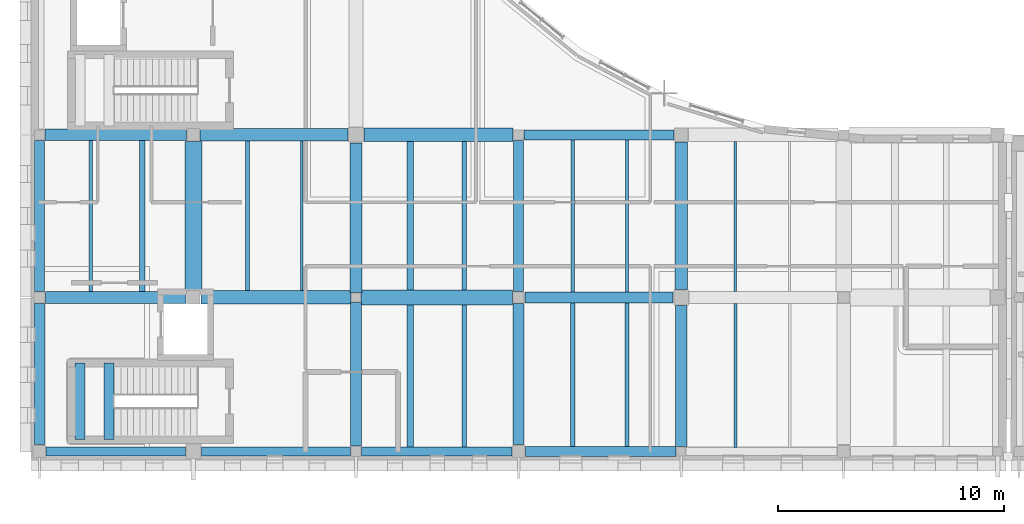
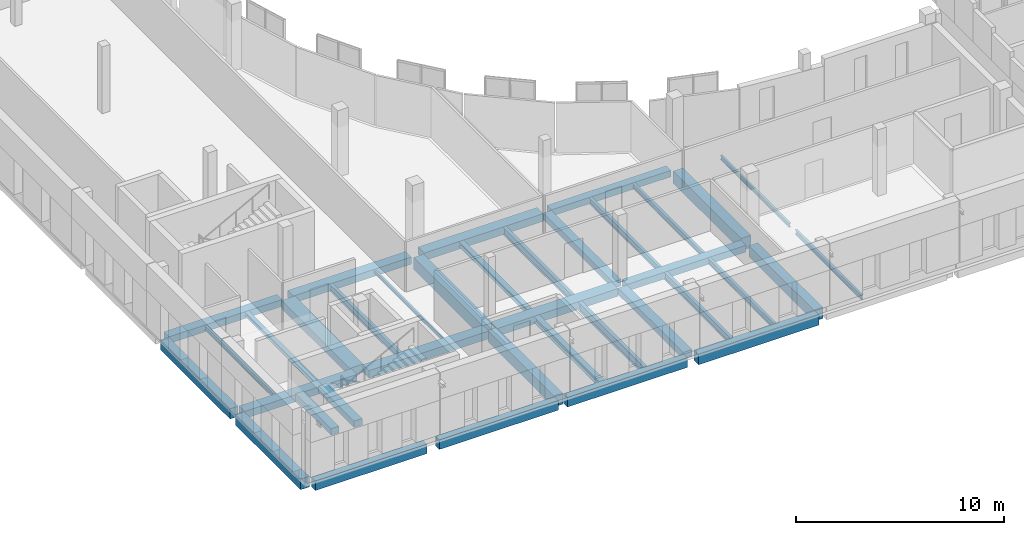
# One storey, part 7 of 76: 37 beams.
"""IFC4 building model written with IfcOpenShell, lengths in metres."""

from ifc_helpers import new_model, si_unit, direction, frame, origin, origin_2d, place, context, subcontext, project, spatial, rectangle, i_section, extrude, material, material_profile, profile_set, type_object, element, save


model = new_model("IFC4")

# Units and contexts
model_context = context("Model", 3, precision=1e-05, world=origin(), true_north=direction((0.0, 1.0)))
body_context = subcontext(model_context, "Body", "Model", "MODEL_VIEW")
ifc_project = project(units=[si_unit("LENGTHUNIT", "METRE"), si_unit("AREAUNIT", "SQUARE_METRE"), si_unit("VOLUMEUNIT", "CUBIC_METRE"), si_unit("PLANEANGLEUNIT", "RADIAN"), si_unit("MASSUNIT", "GRAM", prefix="KILO")], contexts=[model_context])

# Site, building, storey
site_placement = place(None, origin())
site = spatial("IfcSite", under=ifc_project, at=site_placement, CompositionType="ELEMENT")
building_placement = place(site_placement, origin())
building = spatial("IfcBuilding", under=site, at=building_placement, Name="Vardoun Plaza Health Centre", CompositionType="ELEMENT")
storey_placement = place(building_placement, frame((0.0, 0.0, 4.5)))
storey = spatial("IfcBuildingStorey", under=building, at=storey_placement, Name="L01", CompositionType="ELEMENT", Elevation=4.5)

# Beams
ifc_material_1 = material(Name="Concrete C35/45", Category="concrete")
ifc_material_profile_1 = material_profile(ifc_material_1, rectangle(XDim=0.39990234375, YDim=0.550048828125, at=origin_2d()), Name="RC-BM 400x550")
ifc_profile_set_1 = profile_set([ifc_material_profile_1], Name="Concrete C35/45")
beam_type_1 = type_object("IfcBeamType", Name="B-09", PredefinedType="SPANDREL", material=ifc_profile_set_1)
beam_1_placement = place(storey_placement, frame((5.179931640625, 4.8798828125, -0.554931640625), z_axis=(1.0, 0.0, 0.0), x_axis=(0.0, 1.0, 0.0)))
element("IfcBeam", 1, at=beam_1_placement, inside=storey, type_object=beam_type_1, Name="V2 L01 Beam B-V2-L01-X01", PredefinedType="SPANDREL", context=body_context, shape_type="SweptSolid", body=[
    extrude(rectangle(XDim=0.39990234375, YDim=0.550048828125, at=origin_2d()), origin(), (0.0, 0.0, 1.0), 6.170166015625),
])
beam_2_placement = place(storey_placement, frame((12.050048828125, 4.8798828125, -0.554931640625), z_axis=(1.0, 0.0, 0.0), x_axis=(0.0, 1.0, 0.0)))
element("IfcBeam", 2, at=beam_2_placement, inside=storey, type_object=beam_type_1, Name="V2 L01 Beam B-V2-L01-X11", PredefinedType="SPANDREL", context=body_context, shape_type="SweptSolid", body=[
    extrude(rectangle(XDim=0.39990234375, YDim=0.550048828125, at=origin_2d()), origin(), (0.0, 0.0, 1.0), 6.599853515625),
])
beam_3_placement = place(storey_placement, frame((19.14990234375, 4.8798828125, -0.554931640625), z_axis=(1.0, 0.0, 0.0), x_axis=(0.0, 1.0, 0.0)))
element("IfcBeam", 3, at=beam_3_placement, inside=storey, type_object=beam_type_1, Name="V2 L01 Beam B-V2-L01-X21", PredefinedType="SPANDREL", context=body_context, shape_type="SweptSolid", body=[
    extrude(rectangle(XDim=0.39990234375, YDim=0.550048828125, at=origin_2d()), origin(), (0.0, 0.0, 1.0), 6.650146484375),
])
ifc_material_2 = material(Name="Concrete C35/45", Category="concrete")
ifc_material_profile_2 = material_profile(ifc_material_2, rectangle(XDim=0.449951171875, YDim=0.3798828125, at=origin_2d()), Name="RC-BM 450x380")
ifc_profile_set_2 = profile_set([ifc_material_profile_2], Name="Concrete C35/45")
beam_type_2 = type_object("IfcBeamType", Name="B-01", PredefinedType="BEAM", material=ifc_profile_set_2)
beam_4_placement = place(storey_placement, frame((26.35009765625, 18.89990234375, -0.469970703125), z_axis=(1.0, 0.0, 0.0), x_axis=(0.0, 1.0, 0.0)))
element("IfcBeam", 4, at=beam_4_placement, inside=storey, type_object=beam_type_2, Name="V2 L01 Beam B-V2-L01-X26", PredefinedType="BEAM", context=body_context, shape_type="SweptSolid", body=[
    extrude(rectangle(XDim=0.449951171875, YDim=0.3798828125, at=origin_2d()), origin(), (0.0, 0.0, 1.0), 6.625),
])
beam_5_placement = place(storey_placement, frame((26.10009765625, 11.97509765625, -0.469970703125), z_axis=(0.0, 1.0, 0.0), x_axis=(-1.0, 0.0, 0.0)))
element("IfcBeam", 5, at=beam_5_placement, inside=storey, type_object=beam_type_2, Name="V2 L01 Beam B-V2-L01-Y59", PredefinedType="BEAM", context=body_context, shape_type="SweptSolid", body=[
    extrude(rectangle(XDim=0.449951171875, YDim=0.3798828125, at=origin_2d()), origin(), (0.0, 0.0, 1.0), 6.6748046875),
])
for number, where, z_axis, x_axis, name in (
    (6, (6.679931640625, 5.39990234375, 1.7099609375), (0.0, 1.0, 0.0), (-1.0, 0.0, 0.0), "Stair ST-C1-L01 Landing Beam 1"),
    (7, (7.9599609375, 5.39990234375, 1.7099609375), (0.0, 1.0, 0.0), (-1.0, 0.0, 0.0), "Stair ST-C1-L01 Landing Beam 2"),
):
    element("IfcBeam", number, at=place(storey_placement, frame(where, z_axis=z_axis, x_axis=x_axis)), inside=storey, type_object=beam_type_2, Name=name, PredefinedType="BEAM", context=body_context, shape_type="SweptSolid", body=[
        extrude(rectangle(XDim=0.449951171875, YDim=0.3798828125, at=origin_2d()), origin(), (0.0, 0.0, 1.0), 3.400146484375),
    ])
ifc_material_3 = material(Name="Concrete C35/45", Category="concrete")
ifc_material_profile_3 = material_profile(ifc_material_3, rectangle(XDim=0.449951171875, YDim=0.60009765625, at=origin_2d()), Name="RC-BM 450x600")
ifc_profile_set_3 = profile_set([ifc_material_profile_3], Name="Concrete C35/45")
beam_type_3 = type_object("IfcBeamType", Name="B-11", PredefinedType="SPANDREL", material=ifc_profile_set_3)
beam_6_placement = place(storey_placement, frame((26.39990234375, 4.8798828125, -0.580078125), z_axis=(1.0, 0.0, 0.0), x_axis=(0.0, 1.0, 0.0)))
element("IfcBeam", 8, at=beam_6_placement, inside=storey, type_object=beam_type_3, Name="V2 L01 Beam B-V2-L01-X24", PredefinedType="SPANDREL", context=body_context, shape_type="SweptSolid", body=[
    extrude(rectangle(XDim=0.449951171875, YDim=0.60009765625, at=origin_2d()), origin(), (0.0, 0.0, 1.0), 6.675048828125),
])
beam_7_placement = place(storey_placement, frame((4.8798828125, 11.97509765625, -0.580078125), z_axis=(0.0, 1.0, 0.0), x_axis=(-1.0, 0.0, 0.0)))
element("IfcBeam", 9, at=beam_7_placement, inside=storey, type_object=beam_type_3, Name="V2 L01 Beam B-V2-L01-Y34", PredefinedType="SPANDREL", context=body_context, shape_type="SweptSolid", body=[
    extrude(rectangle(XDim=0.449951171875, YDim=0.60009765625, at=origin_2d()), origin(), (0.0, 0.0, 1.0), 6.6748046875),
])
ifc_material_4 = material(Name="Concrete C35/45", Category="concrete")
ifc_material_profile_4 = material_profile(ifc_material_4, rectangle(XDim=0.47998046875, YDim=0.6201171875, at=origin_2d()), Name="RC-BM 480x620")
ifc_profile_set_4 = profile_set([ifc_material_profile_4], Name="Concrete C35/45")
beam_type_4 = type_object("IfcBeamType", Name="B-12", PredefinedType="SPANDREL", material=ifc_profile_set_4)
beam_8_placement = place(storey_placement, frame((4.8798828125, 5.179931640625, -0.590087890625), z_axis=(0.0, 1.0, 0.0), x_axis=(-1.0, 0.0, 0.0)))
element("IfcBeam", 10, at=beam_8_placement, inside=storey, type_object=beam_type_4, Name="V2 L01 Beam B-V2-L01-Y33", PredefinedType="SPANDREL", context=body_context, shape_type="SweptSolid", body=[
    extrude(rectangle(XDim=0.47998046875, YDim=0.6201171875, at=origin_2d()), origin(), (0.0, 0.0, 1.0), 6.2451171875),
])
ifc_material_5 = material(Name="Concrete C35/45", Category="concrete")
ifc_material_profile_5 = material_profile(ifc_material_5, rectangle(XDim=0.5, YDim=0.39990234375, at=origin_2d()), Name="RC-BM 500x400")
ifc_profile_set_5 = profile_set([ifc_material_profile_5], Name="Concrete C35/45")
beam_type_5 = type_object("IfcBeamType", Name="B-02", PredefinedType="BEAM", material=ifc_profile_set_5)
beam_9_placement = place(storey_placement, frame((5.1298828125, 18.89990234375, -0.47998046875), z_axis=(1.0, 0.0, 0.0), x_axis=(0.0, 1.0, 0.0)))
element("IfcBeam", 11, at=beam_9_placement, inside=storey, type_object=beam_type_5, Name="V2 L01 Beam B-V2-L01-X03", PredefinedType="BEAM", context=body_context, shape_type="SweptSolid", body=[
    extrude(rectangle(XDim=0.5, YDim=0.39990234375, at=origin_2d()), origin(), (0.0, 0.0, 1.0), 6.27001953125),
])
beam_10_placement = place(storey_placement, frame((26.375, 11.699951171875, -0.47998046875), z_axis=(1.0, 0.0, 0.0), x_axis=(0.0, 1.0, 0.0)))
element("IfcBeam", 12, at=beam_10_placement, inside=storey, type_object=beam_type_5, Name="V2 L01 Beam B-V2-L01-X25", PredefinedType="BEAM", context=body_context, shape_type="SweptSolid", body=[
    extrude(rectangle(XDim=0.5, YDim=0.39990234375, at=origin_2d()), origin(), (0.0, 0.0, 1.0), 6.574951171875),
])
beam_11_placement = place(storey_placement, frame((26.10009765625, 5.179931640625, -0.47998046875), z_axis=(0.0, 1.0, 0.0), x_axis=(-1.0, 0.0, 0.0)))
element("IfcBeam", 13, at=beam_11_placement, inside=storey, type_object=beam_type_5, Name="V2 L01 Beam B-V2-L01-Y58", PredefinedType="BEAM", context=body_context, shape_type="SweptSolid", body=[
    extrude(rectangle(XDim=0.5, YDim=0.39990234375, at=origin_2d()), origin(), (0.0, 0.0, 1.0), 6.2451171875),
])
ifc_material_6 = material(Name="Concrete C40/50", Category="concrete")
ifc_material_profile_6 = material_profile(ifc_material_6, rectangle(XDim=0.5, YDim=0.64990234375, at=origin_2d()), Name="RC-BM 500x650")
ifc_profile_set_6 = profile_set([ifc_material_profile_6], Name="Concrete C40/50")
beam_type_6 = type_object("IfcBeamType", Name="B-13", PredefinedType="BEAM", material=ifc_profile_set_6)
beam_12_placement = place(storey_placement, frame((18.89990234375, 5.1298828125, -0.60498046875), z_axis=(0.0, 1.0, 0.0), x_axis=(-1.0, 0.0, 0.0)))
element("IfcBeam", 14, at=beam_12_placement, inside=storey, type_object=beam_type_6, Name="V2 L01 Beam B-V2-L01-Y49", PredefinedType="BEAM", context=body_context, shape_type="SweptSolid", body=[
    extrude(rectangle(XDim=0.5, YDim=0.64990234375, at=origin_2d()), origin(), (0.0, 0.0, 1.0), 6.34521484375),
])
beam_13_placement = place(storey_placement, frame((33.300048828125, 5.10498046875, -0.60498046875), z_axis=(0.0, 1.0, 0.0), x_axis=(-1.0, 0.0, 0.0)))
element("IfcBeam", 15, at=beam_13_placement, inside=storey, type_object=beam_type_6, Name="V2 L01 Beam B-V2-L01-Y60", PredefinedType="BEAM", context=body_context, shape_type="SweptSolid", body=[
    extrude(rectangle(XDim=0.5, YDim=0.64990234375, at=origin_2d()), origin(), (0.0, 0.0, 1.0), 6.2451171875),
])
ifc_material_7 = material(Name="Concrete C35/45", Category="concrete")
ifc_material_profile_7 = material_profile(ifc_material_7, rectangle(XDim=0.550048828125, YDim=0.419921875, at=origin_2d()), Name="RC-BM 550x420")
ifc_profile_set_7 = profile_set([ifc_material_profile_7], Name="Concrete C35/45")
beam_type_7 = type_object("IfcBeamType", Name="B-03", PredefinedType="BEAM", material=ifc_profile_set_7)
beam_14_placement = place(storey_placement, frame((5.155029296875, 11.699951171875, -0.489990234375), z_axis=(1.0, 0.0, 0.0), x_axis=(0.0, 1.0, 0.0)))
element("IfcBeam", 16, at=beam_14_placement, inside=storey, type_object=beam_type_7, Name="V2 L01 Beam B-V2-L01-X02", PredefinedType="BEAM", context=body_context, shape_type="SweptSolid", body=[
    extrude(rectangle(XDim=0.550048828125, YDim=0.419921875, at=origin_2d()), origin(), (0.0, 0.0, 1.0), 6.219970703125),
])
beam_15_placement = place(storey_placement, frame((12.0, 18.89990234375, -0.489990234375), z_axis=(1.0, 0.0, 0.0), x_axis=(0.0, 1.0, 0.0)))
element("IfcBeam", 17, at=beam_15_placement, inside=storey, type_object=beam_type_7, Name="V2 L01 Beam B-V2-L01-X13", PredefinedType="BEAM", context=body_context, shape_type="SweptSolid", body=[
    extrude(rectangle(XDim=0.550048828125, YDim=0.419921875, at=origin_2d()), origin(), (0.0, 0.0, 1.0), 6.550048828125),
])
ifc_material_8 = material(Name="Concrete C40/50", Category="concrete")
ifc_material_profile_8 = material_profile(ifc_material_8, rectangle(XDim=0.550048828125, YDim=0.719970703125, at=origin_2d()), Name="RC-BM 550x720")
ifc_profile_set_8 = profile_set([ifc_material_profile_8], Name="Concrete C40/50")
beam_type_8 = type_object("IfcBeamType", Name="B-14", PredefinedType="BEAM", material=ifc_profile_set_8)
beam_16_placement = place(storey_placement, frame((18.89990234375, 11.925048828125, -0.639892578125), z_axis=(0.0, 1.0, 0.0), x_axis=(-1.0, 0.0, 0.0)))
element("IfcBeam", 18, at=beam_16_placement, inside=storey, type_object=beam_type_8, Name="V2 L01 Beam B-V2-L01-Y50", PredefinedType="BEAM", context=body_context, shape_type="SweptSolid", body=[
    extrude(rectangle(XDim=0.550048828125, YDim=0.719970703125, at=origin_2d()), origin(), (0.0, 0.0, 1.0), 6.625),
])
beam_17_placement = place(storey_placement, frame((33.300048828125, 12.050048828125, -0.639892578125), z_axis=(0.0, 1.0, 0.0), x_axis=(-1.0, 0.0, 0.0)))
element("IfcBeam", 19, at=beam_17_placement, inside=storey, type_object=beam_type_8, Name="V2 L01 Beam B-V2-L01-Y61", PredefinedType="BEAM", context=body_context, shape_type="SweptSolid", body=[
    extrude(rectangle(XDim=0.550048828125, YDim=0.719970703125, at=origin_2d()), origin(), (0.0, 0.0, 1.0), 6.52490234375),
])
ifc_material_9 = material(Name="Concrete C35/45", Category="concrete")
ifc_material_profile_9 = material_profile(ifc_material_9, rectangle(XDim=0.60009765625, YDim=0.449951171875, at=origin_2d()), Name="RC-BM 600x450")
ifc_profile_set_9 = profile_set([ifc_material_profile_9], Name="Concrete C35/45")
beam_type_9 = type_object("IfcBeamType", Name="B-04", PredefinedType="BEAM", material=ifc_profile_set_9)
beam_18_placement = place(storey_placement, frame((12.02490234375, 11.699951171875, -0.5048828125), z_axis=(1.0, 0.0, 0.0), x_axis=(0.0, 1.0, 0.0)))
element("IfcBeam", 20, at=beam_18_placement, inside=storey, type_object=beam_type_9, Name="V2 L01 Beam B-V2-L01-X12", PredefinedType="BEAM", context=body_context, shape_type="SweptSolid", body=[
    extrude(rectangle(XDim=0.60009765625, YDim=0.449951171875, at=origin_2d()), origin(), (0.0, 0.0, 1.0), 6.650146484375),
])
beam_19_placement = place(storey_placement, frame((19.25, 18.89990234375, -0.5048828125), z_axis=(1.0, 0.0, 0.0), x_axis=(0.0, 1.0, 0.0)))
element("IfcBeam", 21, at=beam_19_placement, inside=storey, type_object=beam_type_9, Name="V2 L01 Beam B-V2-L01-X23", PredefinedType="BEAM", context=body_context, shape_type="SweptSolid", body=[
    extrude(rectangle(XDim=0.60009765625, YDim=0.449951171875, at=origin_2d()), origin(), (0.0, 0.0, 1.0), 6.60009765625),
])
ifc_material_10 = material(Name="Concrete C35/45", Category="concrete")
ifc_material_profile_10 = material_profile(ifc_material_10, rectangle(XDim=0.64990234375, YDim=0.449951171875, at=origin_2d()), Name="RC-BM 650x450")
ifc_profile_set_10 = profile_set([ifc_material_profile_10], Name="Concrete C35/45")
beam_type_10 = type_object("IfcBeamType", Name="B-05", PredefinedType="BEAM", material=ifc_profile_set_10)
beam_20_placement = place(storey_placement, frame((19.125, 11.699951171875, -0.5048828125), z_axis=(1.0, 0.0, 0.0), x_axis=(0.0, 1.0, 0.0)))
element("IfcBeam", 22, at=beam_20_placement, inside=storey, type_object=beam_type_10, Name="V2 L01 Beam B-V2-L01-X22", PredefinedType="BEAM", context=body_context, shape_type="SweptSolid", body=[
    extrude(rectangle(XDim=0.64990234375, YDim=0.449951171875, at=origin_2d()), origin(), (0.0, 0.0, 1.0), 6.699951171875),
])
ifc_material_11 = material(Name="Concrete C35/45", Category="concrete")
ifc_material_profile_11 = material_profile(ifc_material_11, rectangle(XDim=0.75, YDim=0.47998046875, at=origin_2d()), Name="RC-BM 750x480")
ifc_profile_set_11 = profile_set([ifc_material_profile_11], Name="Concrete C35/45")
beam_type_11 = type_object("IfcBeamType", Name="B-07", PredefinedType="BEAM", material=ifc_profile_set_11)
beam_21_placement = place(storey_placement, frame((11.699951171875, 12.02490234375, -0.52001953125), z_axis=(0.0, 1.0, 0.0), x_axis=(-1.0, 0.0, 0.0)))
element("IfcBeam", 23, at=beam_21_placement, inside=storey, type_object=beam_type_11, Name="V2 L01 Beam B-V2-L01-Y42", PredefinedType="BEAM", context=body_context, shape_type="SweptSolid", body=[
    extrude(rectangle(XDim=0.75, YDim=0.47998046875, at=origin_2d()), origin(), (0.0, 0.0, 1.0), 6.5751953125),
])
ifc_material_12 = material(Name="Steel S355J2", Category="steel")
ifc_material_profile_12 = material_profile(ifc_material_12, i_section(OverallWidth=0.239990234375, OverallDepth=0.22998046875, WebThickness=0.007568359375, FlangeThickness=0.011962890625, FilletRadius=0.02099609375, at=origin_2d()), Name="HEA 240")
ifc_profile_set_12 = profile_set([ifc_material_profile_12], Name="Steel S355J2")
beam_type_12 = type_object("IfcBeamType", Name="SB-07", PredefinedType="BEAM", material=ifc_profile_set_12)
beam_22_placement = place(storey_placement, frame((9.427001953125, 11.97509765625, -0.39501953125), z_axis=(0.0, 1.0, 0.0), x_axis=(-1.0, 0.0, 0.0)))
element("IfcBeam", 24, at=beam_22_placement, inside=storey, type_object=beam_type_12, Name="V2 L01 Secondary Floor Beam SJ-V2-L01-08", PredefinedType="BEAM", context=body_context, shape_type="SweptSolid", body=[
    extrude(i_section(OverallWidth=0.239990234375, OverallDepth=0.22998046875, WebThickness=0.007568359375, FlangeThickness=0.011962890625, FilletRadius=0.02099609375, at=origin_2d()), origin(), (0.0, 0.0, 1.0), 6.6748046875),
])
ifc_material_13 = material(Name="Steel S355J2", Category="steel")
ifc_material_profile_13 = material_profile(ifc_material_13, i_section(OverallWidth=0.280029296875, OverallDepth=0.280029296875, WebThickness=0.010498046875, FlangeThickness=0.01806640625, FilletRadius=0.02392578125, at=origin_2d()), Name="HEB 280")
ifc_profile_set_13 = profile_set([ifc_material_profile_13], Name="Steel S355J2")
beam_type_13 = type_object("IfcBeamType", Name="SB-02", PredefinedType="BEAM", material=ifc_profile_set_13)
beam_23_placement = place(storey_placement, frame((21.2998046875, 12.02490234375, -0.419921875), z_axis=(0.0, 1.0, 0.0), x_axis=(-1.0, 0.0, 0.0)))
element("IfcBeam", 25, at=beam_23_placement, inside=storey, type_object=beam_type_13, Name="V2 L01 Secondary Floor Beam SJ-V2-L01-30", PredefinedType="BEAM", context=body_context, shape_type="SweptSolid", body=[
    extrude(i_section(OverallWidth=0.280029296875, OverallDepth=0.280029296875, WebThickness=0.010498046875, FlangeThickness=0.01806640625, FilletRadius=0.02392578125, at=origin_2d()), origin(), (0.0, 0.0, 1.0), 6.5751953125),
])
ifc_material_14 = material(Name="Steel S355J2", Category="steel")
ifc_material_profile_14 = material_profile(ifc_material_14, i_section(OverallWidth=0.300048828125, OverallDepth=0.360107421875, WebThickness=0.012451171875, FlangeThickness=0.0224609375, FilletRadius=0.027099609375, at=origin_2d()), Name="HEB 360")
ifc_profile_set_14 = profile_set([ifc_material_profile_14], Name="Steel S355J2")
beam_type_14 = type_object("IfcBeamType", Name="RB-04", PredefinedType="BEAM", material=ifc_profile_set_14)
beam_24_placement = place(storey_placement, frame((21.2998046875, 5.080078125, -0.4599609375), z_axis=(0.0, 1.0, 0.0), x_axis=(-1.0, 0.0, 0.0)))
element("IfcBeam", 26, at=beam_24_placement, inside=storey, type_object=beam_type_14, Name="V2 L01 Secondary Floor Beam SJ-V2-L01-29", PredefinedType="BEAM", context=body_context, shape_type="SweptSolid", body=[
    extrude(i_section(OverallWidth=0.300048828125, OverallDepth=0.360107421875, WebThickness=0.012451171875, FlangeThickness=0.0224609375, FilletRadius=0.027099609375, at=origin_2d()), origin(), (0.0, 0.0, 1.0), 6.294921875),
])
ifc_material_15 = material(Name="Steel S355J2", Category="steel")
ifc_material_profile_15 = material_profile(ifc_material_15, i_section(OverallWidth=0.10009765625, OverallDepth=0.199951171875, WebThickness=0.005615234375, FlangeThickness=0.008544921875, FilletRadius=0.011962890625, at=origin_2d()), Name="IPE 200")
ifc_profile_set_15 = profile_set([ifc_material_profile_15], Name="Steel S355J2")
beam_type_15 = type_object("IfcBeamType", Name="SB-19", PredefinedType="SPANDREL", material=ifc_profile_set_15)
beam_25_placement = place(storey_placement, frame((16.500244140625, 12.0, -0.3798828125), z_axis=(0.0, 1.0, 0.0), x_axis=(-1.0, 0.0, 0.0)))
element("IfcBeam", 27, at=beam_25_placement, inside=storey, type_object=beam_type_15, Name="V2 L01 Secondary Floor Beam SJ-V2-L01-22", PredefinedType="SPANDREL", context=body_context, shape_type="SweptSolid", body=[
    extrude(i_section(OverallWidth=0.10009765625, OverallDepth=0.199951171875, WebThickness=0.005615234375, FlangeThickness=0.008544921875, FilletRadius=0.011962890625, at=origin_2d()), origin(), (0.0, 0.0, 1.0), 6.625),
])
ifc_material_16 = material(Name="Steel S355J2", Category="steel")
ifc_material_profile_16 = material_profile(ifc_material_16, i_section(OverallWidth=0.1201171875, OverallDepth=0.239990234375, WebThickness=0.006103515625, FlangeThickness=0.009765625, FilletRadius=0.014892578125, at=origin_2d()), Name="IPE 240")
ifc_profile_set_16 = profile_set([ifc_material_profile_16], Name="Steel S355J2")
beam_type_16 = type_object("IfcBeamType", Name="SB-17", PredefinedType="JOIST", material=ifc_profile_set_16)
beam_26_placement = place(storey_placement, frame((35.69970703125, 11.97509765625, -0.39990234375), z_axis=(0.0, 1.0, 0.0), x_axis=(-1.0, 0.0, 0.0)))
element("IfcBeam", 28, at=beam_26_placement, inside=storey, type_object=beam_type_16, Name="V2 L01 Secondary Floor Beam SJ-V2-L01-38", PredefinedType="JOIST", context=body_context, shape_type="SweptSolid", body=[
    extrude(i_section(OverallWidth=0.1201171875, OverallDepth=0.239990234375, WebThickness=0.006103515625, FlangeThickness=0.009765625, FilletRadius=0.014892578125, at=origin_2d()), origin(), (0.0, 0.0, 1.0), 6.625),
])
ifc_material_17 = material(Name="Steel S355J2", Category="steel")
ifc_material_profile_17 = material_profile(ifc_material_17, i_section(OverallWidth=0.135009765625, OverallDepth=0.27001953125, WebThickness=0.006591796875, FlangeThickness=0.01025390625, FilletRadius=0.014892578125, at=origin_2d()), Name="IPE 270")
ifc_profile_set_17 = profile_set([ifc_material_profile_17], Name="Steel S355J2")
beam_type_17 = type_object("IfcBeamType", Name="SB-16", PredefinedType="JOIST", material=ifc_profile_set_17)
beam_27_placement = place(storey_placement, frame((7.153076171875, 11.97509765625, -0.4150390625), z_axis=(0.0, 1.0, 0.0), x_axis=(-1.0, 0.0, 0.0)))
element("IfcBeam", 29, at=beam_27_placement, inside=storey, type_object=beam_type_17, Name="V2 L01 Secondary Floor Beam SJ-V2-L01-01", PredefinedType="JOIST", context=body_context, shape_type="SweptSolid", body=[
    extrude(i_section(OverallWidth=0.135009765625, OverallDepth=0.27001953125, WebThickness=0.006591796875, FlangeThickness=0.01025390625, FilletRadius=0.014892578125, at=origin_2d()), origin(), (0.0, 0.0, 1.0), 6.6748046875),
])
beam_28_placement = place(storey_placement, frame((35.69970703125, 5.054931640625, -0.4150390625), z_axis=(0.0, 1.0, 0.0), x_axis=(-1.0, 0.0, 0.0)))
element("IfcBeam", 30, at=beam_28_placement, inside=storey, type_object=beam_type_17, Name="V2 L01 Secondary Floor Beam SJ-V2-L01-37", PredefinedType="JOIST", context=body_context, shape_type="SweptSolid", body=[
    extrude(i_section(OverallWidth=0.135009765625, OverallDepth=0.27001953125, WebThickness=0.006591796875, FlangeThickness=0.01025390625, FilletRadius=0.014892578125, at=origin_2d()), origin(), (0.0, 0.0, 1.0), 6.3701171875),
])
ifc_material_18 = material(Name="Steel S355J2", Category="steel")
ifc_material_profile_18 = material_profile(ifc_material_18, i_section(OverallWidth=0.14990234375, OverallDepth=0.300048828125, WebThickness=0.007080078125, FlangeThickness=0.0107421875, FilletRadius=0.014892578125, at=origin_2d()), Name="IPE 300")
ifc_profile_set_18 = profile_set([ifc_material_profile_18], Name="Steel S355J2")
beam_type_18 = type_object("IfcBeamType", Name="SB-15", PredefinedType="JOIST", material=ifc_profile_set_18)
beam_29_placement = place(storey_placement, frame((30.900146484375, 11.949951171875, -0.429931640625), z_axis=(0.0, 1.0, 0.0), x_axis=(-1.0, 0.0, 0.0)))
element("IfcBeam", 31, at=beam_29_placement, inside=storey, type_object=beam_type_18, Name="V2 L01 Secondary Floor Beam SJ-V2-L01-36", PredefinedType="JOIST", context=body_context, shape_type="SweptSolid", body=[
    extrude(i_section(OverallWidth=0.14990234375, OverallDepth=0.300048828125, WebThickness=0.007080078125, FlangeThickness=0.0107421875, FilletRadius=0.014892578125, at=origin_2d()), origin(), (0.0, 0.0, 1.0), 6.72509765625),
])
ifc_material_19 = material(Name="Steel S355J2", Category="steel")
ifc_material_profile_19 = material_profile(ifc_material_19, i_section(OverallWidth=0.159912109375, OverallDepth=0.330078125, WebThickness=0.007568359375, FlangeThickness=0.011474609375, FilletRadius=0.01806640625, at=origin_2d()), Name="IPE 330")
ifc_profile_set_19 = profile_set([ifc_material_profile_19], Name="Steel S355J2")
beam_type_19 = type_object("IfcBeamType", Name="SB-14", PredefinedType="JOIST", material=ifc_profile_set_19)
beam_30_placement = place(storey_placement, frame((30.900146484375, 5.10498046875, -0.445068359375), z_axis=(0.0, 1.0, 0.0), x_axis=(-1.0, 0.0, 0.0)))
element("IfcBeam", 32, at=beam_30_placement, inside=storey, type_object=beam_type_19, Name="V2 L01 Secondary Floor Beam SJ-V2-L01-35", PredefinedType="JOIST", context=body_context, shape_type="SweptSolid", body=[
    extrude(i_section(OverallWidth=0.159912109375, OverallDepth=0.330078125, WebThickness=0.007568359375, FlangeThickness=0.011474609375, FilletRadius=0.01806640625, at=origin_2d()), origin(), (0.0, 0.0, 1.0), 6.344970703125),
])
ifc_material_20 = material(Name="Steel S355J2", Category="steel")
ifc_material_profile_20 = material_profile(ifc_material_20, i_section(OverallWidth=0.169921875, OverallDepth=0.360107421875, WebThickness=0.008056640625, FlangeThickness=0.0126953125, FilletRadius=0.01806640625, at=origin_2d()), Name="IPE 360")
ifc_profile_set_20 = profile_set([ifc_material_profile_20], Name="Steel S355J2")
beam_type_20 = type_object("IfcBeamType", Name="SB-13", PredefinedType="JOIST", material=ifc_profile_set_20)
beam_31_placement = place(storey_placement, frame((28.499755859375, 11.949951171875, -0.4599609375), z_axis=(0.0, 1.0, 0.0), x_axis=(-1.0, 0.0, 0.0)))
element("IfcBeam", 33, at=beam_31_placement, inside=storey, type_object=beam_type_20, Name="V2 L01 Secondary Floor Beam SJ-V2-L01-34", PredefinedType="JOIST", context=body_context, shape_type="SweptSolid", body=[
    extrude(i_section(OverallWidth=0.169921875, OverallDepth=0.360107421875, WebThickness=0.008056640625, FlangeThickness=0.0126953125, FilletRadius=0.01806640625, at=origin_2d()), origin(), (0.0, 0.0, 1.0), 6.72509765625),
])
ifc_material_21 = material(Name="Steel S355J2", Category="steel")
ifc_material_profile_21 = material_profile(ifc_material_21, i_section(OverallWidth=0.179931640625, OverallDepth=0.39990234375, WebThickness=0.008544921875, FlangeThickness=0.013427734375, FilletRadius=0.02099609375, at=origin_2d()), Name="IPE 400")
ifc_profile_set_21 = profile_set([ifc_material_profile_21], Name="Steel S355J2")
beam_type_21 = type_object("IfcBeamType", Name="SB-12", PredefinedType="BEAM", material=ifc_profile_set_21)
beam_32_placement = place(storey_placement, frame((14.099853515625, 12.0, -0.47998046875), z_axis=(0.0, 1.0, 0.0), x_axis=(-1.0, 0.0, 0.0)))
element("IfcBeam", 34, at=beam_32_placement, inside=storey, type_object=beam_type_21, Name="V2 L01 Secondary Floor Beam SJ-V2-L01-15", PredefinedType="BEAM", context=body_context, shape_type="SweptSolid", body=[
    extrude(i_section(OverallWidth=0.179931640625, OverallDepth=0.39990234375, WebThickness=0.008544921875, FlangeThickness=0.013427734375, FilletRadius=0.02099609375, at=origin_2d()), origin(), (0.0, 0.0, 1.0), 6.625),
])
beam_33_placement = place(storey_placement, frame((28.499755859375, 5.10498046875, -0.47998046875), z_axis=(0.0, 1.0, 0.0), x_axis=(-1.0, 0.0, 0.0)))
element("IfcBeam", 35, at=beam_33_placement, inside=storey, type_object=beam_type_21, Name="V2 L01 Secondary Floor Beam SJ-V2-L01-33", PredefinedType="BEAM", context=body_context, shape_type="SweptSolid", body=[
    extrude(i_section(OverallWidth=0.179931640625, OverallDepth=0.39990234375, WebThickness=0.008544921875, FlangeThickness=0.013427734375, FilletRadius=0.02099609375, at=origin_2d()), origin(), (0.0, 0.0, 1.0), 6.344970703125),
])
ifc_material_22 = material(Name="Steel S355J2", Category="steel")
ifc_material_profile_22 = material_profile(ifc_material_22, i_section(OverallWidth=0.18994140625, OverallDepth=0.449951171875, WebThickness=0.009521484375, FlangeThickness=0.0146484375, FilletRadius=0.02099609375, at=origin_2d()), Name="IPE 450")
ifc_profile_set_22 = profile_set([ifc_material_profile_22], Name="Steel S355J2")
beam_type_22 = type_object("IfcBeamType", Name="SB-11", PredefinedType="BEAM", material=ifc_profile_set_22)
beam_34_placement = place(storey_placement, frame((23.7001953125, 12.02490234375, -0.5048828125), z_axis=(0.0, 1.0, 0.0), x_axis=(-1.0, 0.0, 0.0)))
element("IfcBeam", 36, at=beam_34_placement, inside=storey, type_object=beam_type_22, Name="V2 L01 Secondary Floor Beam SJ-V2-L01-32", PredefinedType="BEAM", context=body_context, shape_type="SweptSolid", body=[
    extrude(i_section(OverallWidth=0.18994140625, OverallDepth=0.449951171875, WebThickness=0.009521484375, FlangeThickness=0.0146484375, FilletRadius=0.02099609375, at=origin_2d()), origin(), (0.0, 0.0, 1.0), 6.5751953125),
])
ifc_material_23 = material(Name="Steel S355J2", Category="steel")
ifc_material_profile_23 = material_profile(ifc_material_23, i_section(OverallWidth=0.199951171875, OverallDepth=0.5, WebThickness=0.01025390625, FlangeThickness=0.01611328125, FilletRadius=0.02099609375, at=origin_2d()), Name="IPE 500")
ifc_profile_set_23 = profile_set([ifc_material_profile_23], Name="Steel S355J2")
beam_type_23 = type_object("IfcBeamType", Name="SB-10", PredefinedType="BEAM", material=ifc_profile_set_23)
beam_35_placement = place(storey_placement, frame((23.7001953125, 5.080078125, -0.530029296875), z_axis=(0.0, 1.0, 0.0), x_axis=(-1.0, 0.0, 0.0)))
element("IfcBeam", 37, at=beam_35_placement, inside=storey, type_object=beam_type_23, Name="V2 L01 Secondary Floor Beam SJ-V2-L01-31", PredefinedType="BEAM", context=body_context, shape_type="SweptSolid", body=[
    extrude(i_section(OverallWidth=0.199951171875, OverallDepth=0.5, WebThickness=0.01025390625, FlangeThickness=0.01611328125, FilletRadius=0.02099609375, at=origin_2d()), origin(), (0.0, 0.0, 1.0), 6.294921875),
])

save(model, "model.ifc")
